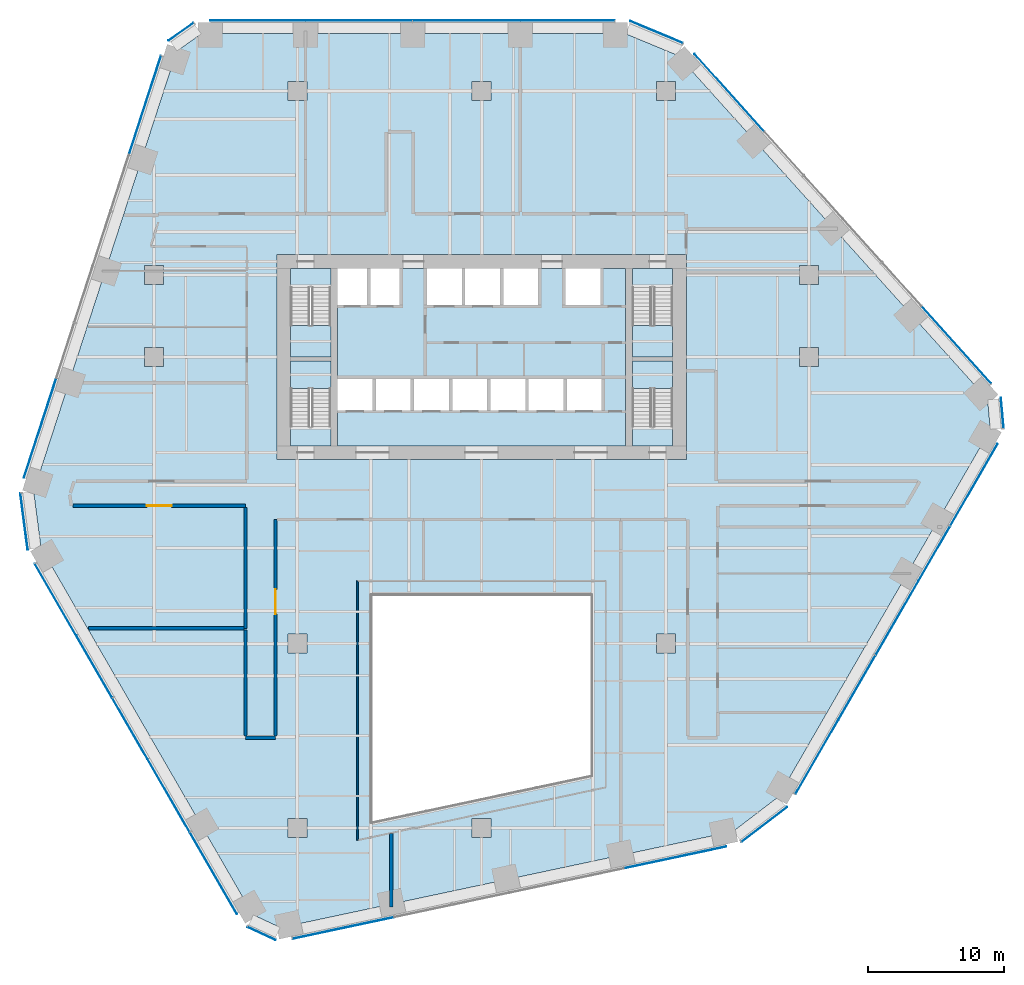
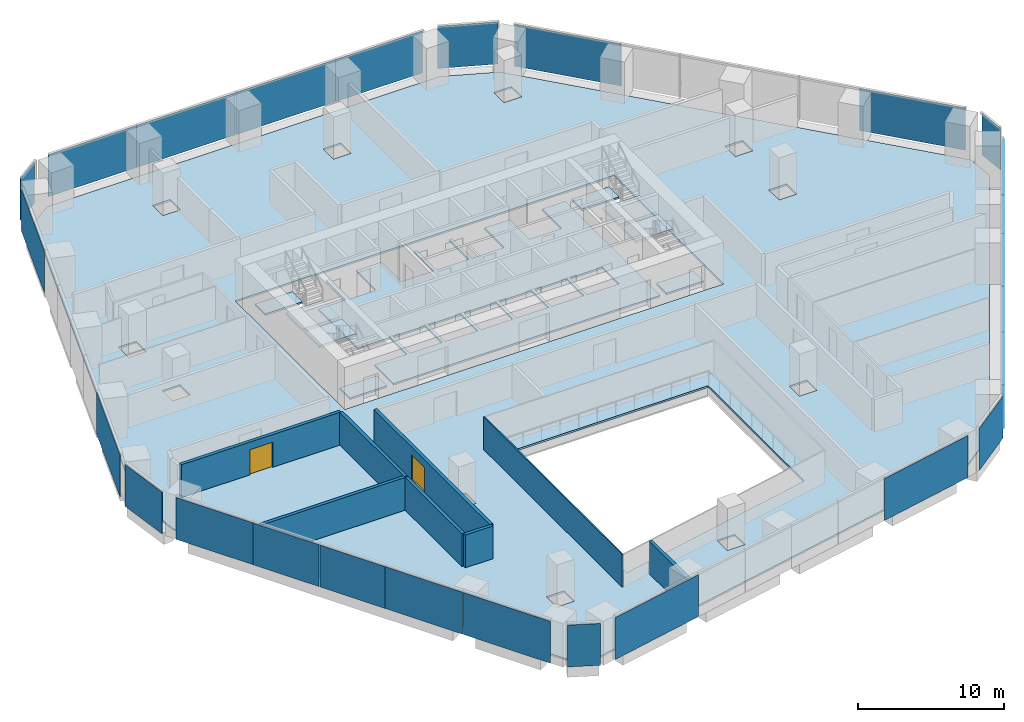
# One storey, part 13 of 20: 26 plates, 10 slabs, 8 walls, 2 doors, 2 openings, 16 elements without a shape of their own.
"""IFC4 building model written with IfcOpenShell, lengths in metres."""

from ifc_helpers import new_model, si_unit, direction, frame, frame_2d, origin, origin_2d, place, context, subcontext, project, spatial, polyline, rectangle, outline, extrude, material, layer, layer_set, type_object, element, fill, aggregate, save


model = new_model("IFC4")

# Units and contexts
model_context = context("Model", 3, precision=1e-05, world=origin(), true_north=direction((0.0, 1.0)))
body_context = subcontext(model_context, "Body", "Model", "MODEL_VIEW")
ifc_project = project(units=[si_unit("LENGTHUNIT", "METRE"), si_unit("AREAUNIT", "SQUARE_METRE"), si_unit("VOLUMEUNIT", "CUBIC_METRE"), si_unit("PLANEANGLEUNIT", "RADIAN"), si_unit("MASSUNIT", "GRAM", prefix="KILO")], contexts=[model_context])

# Site, building, storey
site_placement = place(None, origin())
site = spatial("IfcSite", under=ifc_project, at=site_placement, CompositionType="ELEMENT")
building_placement = place(site_placement, origin())
building = spatial("IfcBuilding", under=site, at=building_placement, Name="Isthmus Gate Tower", CompositionType="ELEMENT")
storey_placement = place(building_placement, frame((0.0, 0.0, 57.89990234375)))
storey = spatial("IfcBuildingStorey", under=building, at=storey_placement, Name="L12", CompositionType="ELEMENT", Elevation=57.89990234375)

# Slabs
ifc_material_1 = material(Name="Concrete f'c 40 MPa", Category="concrete")
ifc_layer_1 = layer(ifc_material_1, 0.14990234375)
ifc_layer_set_1 = layer_set([ifc_layer_1], Name="COMPOSITE FLOOR SLAB 150")
slab_type_1 = type_object("IfcSlabType", Name="COMPOSITE FLOOR SLAB 150", PredefinedType="FLOOR", material=ifc_layer_set_1)
slab_1_placement = place(storey_placement, frame((0.0, 0.0, -0.14990234375)))
element("IfcSlab", 1, at=slab_1_placement, inside=storey, type_object=slab_type_1, Name="str-slab-L12-1", PredefinedType="FLOOR", context=body_context, shape_type="SweptSolid", body=[
    extrude(outline(polyline([(14.391357421875, 29.599365234375), (37.081787109375, 4.399169921875), (37.281494140625, 2.17333984375), (21.748779296875, -24.729736328125), (18.438232421875, -27.262939453125), (-14.73095703125, -34.313232421875), (-16.758544921875, -33.373291015625), (-32.291015625, -6.47021484375), (-32.82958984375, -2.33642578125), (-22.3505859375, 29.9140625), (-20.52294921875, 31.199951171875), (10.542236328125, 31.199951171875), (14.391357421875, 29.599365234375)]), holes=[polyline([(-14.199951171875, -27.699951171875), (-12.800048828125, -27.699951171875), (-12.800048828125, -26.300048828125), (-14.199951171875, -26.300048828125), (-14.199951171875, -27.699951171875)]), polyline([(-0.699951171875, -26.300048828125), (-0.699951171875, -27.699951171875), (0.699951171875, -27.699951171875), (0.699951171875, -26.300048828125), (-0.699951171875, -26.300048828125)]), polyline([(-14.199951171875, -12.800048828125), (-14.199951171875, -14.199951171875), (-12.800048828125, -14.199951171875), (-12.800048828125, -12.800048828125), (-14.199951171875, -12.800048828125)]), polyline([(-24.699951171875, 8.199951171875), (-24.699951171875, 6.800048828125), (-23.300048828125, 6.800048828125), (-23.300048828125, 8.199951171875), (-24.699951171875, 8.199951171875)]), polyline([(-23.300048828125, 14.199951171875), (-24.699951171875, 14.199951171875), (-24.699951171875, 12.800048828125), (-23.300048828125, 12.800048828125), (-23.300048828125, 14.199951171875)]), polyline([(-14.199951171875, 27.699951171875), (-14.199951171875, 26.300048828125), (-12.800048828125, 26.300048828125), (-12.800048828125, 27.699951171875), (-14.199951171875, 27.699951171875)]), polyline([(-0.699951171875, 27.699951171875), (-0.699951171875, 26.300048828125), (0.699951171875, 26.300048828125), (0.699951171875, 27.699951171875), (-0.699951171875, 27.699951171875)]), polyline([(8.0, -23.143310546875), (8.0, -10.0), (-8.0, -10.0), (-8.0, -26.544189453125), (8.0, -23.143310546875)]), polyline([(14.199951171875, -12.800048828125), (12.800048828125, -12.800048828125), (12.800048828125, -14.199951171875), (14.199951171875, -14.199951171875), (14.199951171875, -12.800048828125)]), polyline([(15.0, 15.0), (-15.0, 15.0), (-15.0, 0.0), (15.0, 0.0), (15.0, 15.0)]), polyline([(24.699951171875, 8.199951171875), (23.300048828125, 8.199951171875), (23.300048828125, 6.800048828125), (24.699951171875, 6.800048828125), (24.699951171875, 8.199951171875)]), polyline([(23.300048828125, 14.199951171875), (23.300048828125, 12.800048828125), (24.699951171875, 12.800048828125), (24.699951171875, 14.199951171875), (23.300048828125, 14.199951171875)]), polyline([(14.199951171875, 27.699951171875), (12.800048828125, 27.699951171875), (12.800048828125, 26.300048828125), (14.199951171875, 26.300048828125), (14.199951171875, 27.699951171875)])]), origin(), (0.0, 0.0, 1.0), 0.14990234375),
])
ifc_material_2 = material(Name="Concrete f'c 40 MPa", Category="concrete")
ifc_layer_2 = layer(ifc_material_2, 0.14990234375)
ifc_layer_set_2 = layer_set([ifc_layer_2], Name="CORE FLOOR SLAB 150")
slab_type_2 = type_object("IfcSlabType", Name="CORE FLOOR SLAB 150", PredefinedType="FLOOR", material=ifc_layer_set_2)
slab_2_placement = place(storey_placement, frame((0.0, 0.0, -0.14990234375)))
element("IfcSlab", 2, at=slab_2_placement, inside=storey, type_object=slab_type_2, Name="L12 core floor", PredefinedType="FLOOR", context=body_context, shape_type="SweptSolid", body=[
    extrude(outline(polyline([(-11.050048828125, 1.0), (-11.050048828125, 2.402099609375), (-14.0, 2.402099609375), (-14.0, 1.0), (-11.050048828125, 1.0)])), origin(), (0.0, 0.0, 1.0), 0.14990234375),
])
slab_3_placement = place(storey_placement, frame((0.0, 0.0, -0.14990234375)))
element("IfcSlab", 3, at=slab_3_placement, inside=storey, type_object=slab_type_2, Name="L12 core floor", PredefinedType="FLOOR", context=body_context, shape_type="SweptSolid", body=[
    extrude(outline(polyline([(-14.0, 14.0), (-14.0, 12.597900390625), (-11.050048828125, 12.597900390625), (-11.050048828125, 14.0), (-14.0, 14.0)])), origin(), (0.0, 0.0, 1.0), 0.14990234375),
])
slab_4_placement = place(storey_placement, frame((0.0, 0.0, -0.14990234375)))
element("IfcSlab", 4, at=slab_4_placement, inside=storey, type_object=slab_type_2, Name="L12 core floor", PredefinedType="FLOOR", context=body_context, shape_type="SweptSolid", body=[
    extrude(outline(polyline([(10.550048828125, 14.0), (8.699951171875, 14.0), (8.699951171875, 11.300048828125), (6.14990234375, 11.300048828125), (6.14990234375, 14.0), (4.14990234375, 14.0), (4.14990234375, 11.300048828125), (1.60009765625, 11.300048828125), (1.60009765625, 14.0), (1.35009765625, 14.0), (1.35009765625, 11.300048828125), (-1.199951171875, 11.300048828125), (-1.199951171875, 14.0), (-1.449951171875, 14.0), (-1.449951171875, 11.300048828125), (-4.0, 11.300048828125), (-4.0, 14.0), (-6.0, 14.0), (-6.0, 11.300048828125), (-8.14990234375, 11.300048828125), (-8.14990234375, 14.0), (-8.39990234375, 14.0), (-8.39990234375, 11.300048828125), (-10.550048828125, 11.300048828125), (-10.550048828125, 5.89990234375), (-8.0, 5.89990234375), (-8.0, 3.60009765625), (-10.550048828125, 3.60009765625), (-10.550048828125, 1.0), (10.550048828125, 1.0), (10.550048828125, 14.0)]), holes=[polyline([(-5.199951171875, 5.89990234375), (-5.199951171875, 3.60009765625), (-7.75, 3.60009765625), (-7.75, 5.89990234375), (-5.199951171875, 5.89990234375)]), polyline([(-2.39990234375, 5.89990234375), (-2.39990234375, 3.60009765625), (-4.949951171875, 3.60009765625), (-4.949951171875, 5.89990234375), (-2.39990234375, 5.89990234375)]), polyline([(0.39990234375, 5.89990234375), (0.39990234375, 3.60009765625), (-2.14990234375, 3.60009765625), (-2.14990234375, 5.89990234375), (0.39990234375, 5.89990234375)]), polyline([(3.199951171875, 5.89990234375), (3.199951171875, 3.60009765625), (0.64990234375, 3.60009765625), (0.64990234375, 5.89990234375), (3.199951171875, 5.89990234375)]), polyline([(6.0, 5.89990234375), (6.0, 3.60009765625), (3.449951171875, 3.60009765625), (3.449951171875, 5.89990234375), (6.0, 5.89990234375)]), polyline([(8.800048828125, 5.89990234375), (8.800048828125, 3.60009765625), (6.25, 3.60009765625), (6.25, 5.89990234375), (8.800048828125, 5.89990234375)])]), origin(), (0.0, 0.0, 1.0), 0.14990234375),
])
slab_5_placement = place(storey_placement, frame((0.0, 0.0, -0.14990234375)))
element("IfcSlab", 5, at=slab_5_placement, inside=storey, type_object=slab_type_2, Name="L12 core floor", PredefinedType="FLOOR", context=body_context, shape_type="SweptSolid", body=[
    extrude(outline(polyline([(14.0, 1.0), (14.0, 2.402099609375), (11.050048828125, 2.402099609375), (11.050048828125, 1.0), (14.0, 1.0)])), origin(), (0.0, 0.0, 1.0), 0.14990234375),
])
slab_6_placement = place(storey_placement, frame((0.0, 0.0, -0.14990234375)))
element("IfcSlab", 6, at=slab_6_placement, inside=storey, type_object=slab_type_2, Name="L12 core floor", PredefinedType="FLOOR", context=body_context, shape_type="SweptSolid", body=[
    extrude(outline(polyline([(11.050048828125, 14.0), (11.050048828125, 12.597900390625), (14.0, 12.597900390625), (14.0, 14.0), (11.050048828125, 14.0)])), origin(), (0.0, 0.0, 1.0), 0.14990234375),
])

# Curtain wall, plates
ifc_material_3 = material(Name="Aluminium, pale champagne anodised", Category="aluminium")
ifc_layer_3 = layer(ifc_material_3, 0.199951171875)
ifc_layer_set_3 = layer_set([ifc_layer_3], Name="CW-1 UNITISED CURTAIN WALL 200 DEEP")
curtain_wall_type = type_object("IfcCurtainWallType", Name="CW-1 UNITISED CURTAIN WALL 200 DEEP", PredefinedType="NOTDEFINED", material=ifc_layer_set_3)
curtain_wall_1_placement = place(storey_placement, origin())
curtain_wall_1 = element("IfcCurtainWall", 7, at=curtain_wall_1_placement, inside=storey, type_object=curtain_wall_type, Name="CW-1 N L12", PredefinedType="NOTDEFINED")
ifc_material_4 = material(Name="Laminated low-iron glass, pale blue tint", Category="glass")
ifc_layer_4 = layer(ifc_material_4, 0.0400390625)
ifc_layer_set_4 = layer_set([ifc_layer_4], Name="CW-1 CLEAR GLASS LITE 40")
plate_type = type_object("IfcPlateType", Name="CW-1 CLEAR GLASS LITE 40", PredefinedType="CURTAIN_PANEL", material=ifc_layer_set_4)
plate_1_placement = place(storey_placement, frame((6.287109375, 32.179931640625, 0.0), z_axis=(0.0, 0.0, 1.0), x_axis=(-1.0, 0.0, 0.0)))
plate_1 = element("IfcPlate", 8, at=plate_1_placement, type_object=plate_type, Name="CW-1 glass lite", PredefinedType="CURTAIN_PANEL", context=body_context, shape_type="SweptSolid", body=[
    extrude(rectangle(XDim=6.909423828125, YDim=0.0400390625, at=origin_2d()), origin(), (0.0, 0.0, 1.0), 3.5),
])
plate_2_placement = place(storey_placement, frame((-1.1025390625, 32.179931640625, 0.0), z_axis=(0.0, 0.0, 1.0), x_axis=(-1.0, 0.0, 0.0)))
plate_2 = element("IfcPlate", 9, at=plate_2_placement, type_object=plate_type, Name="CW-1 glass lite", PredefinedType="CURTAIN_PANEL", context=body_context, shape_type="SweptSolid", body=[
    extrude(rectangle(XDim=7.86962890625, YDim=0.0400390625, at=origin_2d()), origin(), (0.0, 0.0, 1.0), 3.5),
])
plate_3_placement = place(storey_placement, frame((-9.001953125, 32.179931640625, 0.0), z_axis=(0.0, 0.0, 1.0), x_axis=(-1.0, 0.0, 0.0)))
plate_3 = element("IfcPlate", 10, at=plate_3_placement, type_object=plate_type, Name="CW-1 glass lite", PredefinedType="CURTAIN_PANEL", context=body_context, shape_type="SweptSolid", body=[
    extrude(rectangle(XDim=7.8095703125, YDim=0.0400390625, at=origin_2d()), origin(), (0.0, 0.0, 1.0), 3.5),
])
plate_4_placement = place(storey_placement, frame((-16.391357421875, 32.179931640625, 0.0), z_axis=(0.0, 0.0, 1.0), x_axis=(-1.0, 0.0, 0.0)))
plate_4 = element("IfcPlate", 11, at=plate_4_placement, type_object=plate_type, Name="CW-1 glass lite", PredefinedType="CURTAIN_PANEL", context=body_context, shape_type="SweptSolid", body=[
    extrude(rectangle(XDim=6.969482421875, YDim=0.0400390625, at=origin_2d()), origin(), (0.0, 0.0, 1.0), 3.5),
])
aggregate(curtain_wall_1, [plate_1, plate_2, plate_3, plate_4])

# Curtain wall, plate
curtain_wall_2_placement = place(storey_placement, origin())
curtain_wall_2 = element("IfcCurtainWall", 12, at=curtain_wall_2_placement, inside=storey, type_object=curtain_wall_type, Name="CW-1 N-NW L12", PredefinedType="NOTDEFINED")
plate_5_placement = place(storey_placement, frame((-22.025146484375, 31.341552734375, 0.0), z_axis=(0.0, 0.0, 1.0), x_axis=(-0.81785959165, -0.57541783805, 0.0)))
plate_5 = element("IfcPlate", 13, at=plate_5_placement, type_object=plate_type, Name="CW-1 glass lite", PredefinedType="CURTAIN_PANEL", context=body_context, shape_type="SweptSolid", body=[
    extrude(rectangle(XDim=2.258544921875, YDim=0.0400390625, at=origin_2d()), origin(), (0.0, 0.0, 1.0), 3.5),
])
aggregate(curtain_wall_2, [plate_5])

# Curtain wall, plates
curtain_wall_3_placement = place(storey_placement, origin())
curtain_wall_3 = element("IfcCurtainWall", 14, at=curtain_wall_3_placement, inside=storey, type_object=curtain_wall_type, Name="CW-1 NW L12", PredefinedType="NOTDEFINED")
plate_6_placement = place(storey_placement, frame((-24.67578125, 25.9296875, 0.0), z_axis=(0.0, 0.0, 1.0), x_axis=(-0.309016994375, -0.951056516295, 0.0)))
plate_6 = element("IfcPlate", 15, at=plate_6_placement, type_object=plate_type, Name="CW-1 glass lite", PredefinedType="CURTAIN_PANEL", context=body_context, shape_type="SweptSolid", body=[
    extrude(rectangle(XDim=7.62939453125, YDim=0.0400390625, at=origin_2d()), origin(), (0.0, 0.0, 1.0), 3.5),
])
plate_7_placement = place(storey_placement, frame((-32.35107421875, 2.30712890625, 0.0), z_axis=(0.0, 0.0, 1.0), x_axis=(-0.309016994375, -0.951056516295, 0.0)))
plate_7 = element("IfcPlate", 16, at=plate_7_placement, type_object=plate_type, Name="CW-1 glass lite", PredefinedType="CURTAIN_PANEL", context=body_context, shape_type="SweptSolid", body=[
    extrude(rectangle(XDim=7.689453125, YDim=0.0400390625, at=origin_2d()), origin(), (0.0, 0.0, 1.0), 3.5),
])
aggregate(curtain_wall_3, [plate_6, plate_7])

# Curtain wall, plate
curtain_wall_4_placement = place(storey_placement, origin())
curtain_wall_4 = element("IfcCurtainWall", 17, at=curtain_wall_4_placement, inside=storey, type_object=curtain_wall_type, Name="CW-1 NW-SW L12", PredefinedType="NOTDEFINED")
plate_8_placement = place(storey_placement, frame((-33.5283203125, -4.558349609375, 0.0), z_axis=(0.0, 0.0, 1.0), x_axis=(0.129164534, -0.991623175988, 0.0)))
plate_8 = element("IfcPlate", 18, at=plate_8_placement, type_object=plate_type, Name="CW-1 glass lite", PredefinedType="CURTAIN_PANEL", context=body_context, shape_type="SweptSolid", body=[
    extrude(rectangle(XDim=4.181396484375, YDim=0.0400390625, at=origin_2d()), origin(), (0.0, 0.0, 1.0), 3.5),
])
aggregate(curtain_wall_4, [plate_8])

# Curtain wall, plates
curtain_wall_5_placement = place(storey_placement, origin())
curtain_wall_5 = element("IfcCurtainWall", 19, at=curtain_wall_5_placement, inside=storey, type_object=curtain_wall_type, Name="CW-1 SW L12", PredefinedType="NOTDEFINED")
plate_9_placement = place(storey_placement, frame((-31.22119140625, -10.283203125, 0.0), z_axis=(0.0, 0.0, 1.0), x_axis=(0.5, -0.866025403784, 0.0)))
plate_9 = element("IfcPlate", 20, at=plate_9_placement, type_object=plate_type, Name="CW-1 glass lite", PredefinedType="CURTAIN_PANEL", context=body_context, shape_type="SweptSolid", body=[
    extrude(rectangle(XDim=6.07373046875, YDim=0.0400390625, at=origin_2d()), origin(), (0.0, 0.0, 1.0), 3.5),
])
plate_10_placement = place(storey_placement, frame((-28.394287109375, -15.179443359375, 0.0), z_axis=(0.0, 0.0, 1.0), x_axis=(0.5, -0.866025403784, 0.0)))
plate_10 = element("IfcPlate", 21, at=plate_10_placement, type_object=plate_type, Name="CW-1 glass lite", PredefinedType="CURTAIN_PANEL", context=body_context, shape_type="SweptSolid", body=[
    extrude(rectangle(XDim=5.233642578125, YDim=0.0400390625, at=origin_2d()), origin(), (0.0, 0.0, 1.0), 3.5),
])
plate_11_placement = place(storey_placement, frame((-25.7626953125, -19.73779296875, 0.0), z_axis=(0.0, 0.0, 1.0), x_axis=(0.5, -0.866025403784, 0.0)))
plate_11 = element("IfcPlate", 22, at=plate_11_placement, type_object=plate_type, Name="CW-1 glass lite", PredefinedType="CURTAIN_PANEL", context=body_context, shape_type="SweptSolid", body=[
    extrude(rectangle(XDim=5.173583984375, YDim=0.0400390625, at=origin_2d()), origin(), (0.0, 0.0, 1.0), 3.5),
])
plate_12_placement = place(storey_placement, frame((-22.935791015625, -24.634033203125, 0.0), z_axis=(0.0, 0.0, 1.0), x_axis=(0.5, -0.866025403784, 0.0)))
plate_12 = element("IfcPlate", 23, at=plate_12_placement, type_object=plate_type, Name="CW-1 glass lite", PredefinedType="CURTAIN_PANEL", context=body_context, shape_type="SweptSolid", body=[
    extrude(rectangle(XDim=6.133544921875, YDim=0.0400390625, at=origin_2d()), origin(), (0.0, 0.0, 1.0), 3.5),
])
plate_13_placement = place(storey_placement, frame((-19.6513671875, -30.32275390625, 0.0), z_axis=(0.0, 0.0, 1.0), x_axis=(0.5, -0.866025403784, 0.0)))
plate_13 = element("IfcPlate", 24, at=plate_13_placement, type_object=plate_type, Name="CW-1 glass lite", PredefinedType="CURTAIN_PANEL", context=body_context, shape_type="SweptSolid", body=[
    extrude(rectangle(XDim=6.883544921875, YDim=0.0400390625, at=origin_2d()), origin(), (0.0, 0.0, 1.0), 3.5),
])
aggregate(curtain_wall_5, [plate_9, plate_10, plate_11, plate_12, plate_13])

# Curtain wall, plate
curtain_wall_6_placement = place(storey_placement, origin())
curtain_wall_6 = element("IfcCurtainWall", 25, at=curtain_wall_6_placement, inside=storey, type_object=curtain_wall_type, Name="CW-1 SW-S L12", PredefinedType="NOTDEFINED")
plate_14_placement = place(storey_placement, frame((-16.1298828125, -34.7451171875, 0.0), z_axis=(0.0, 0.0, 1.0), x_axis=(0.907256261367, -0.420578264073, 0.0)))
plate_14 = element("IfcPlate", 26, at=plate_14_placement, type_object=plate_type, Name="CW-1 glass lite", PredefinedType="CURTAIN_PANEL", context=body_context, shape_type="SweptSolid", body=[
    extrude(rectangle(XDim=2.258544921875, YDim=0.0400390625, at=origin_2d()), origin(), (0.0, 0.0, 1.0), 3.5),
])
aggregate(curtain_wall_6, [plate_14])

# Curtain wall, plates
curtain_wall_7_placement = place(storey_placement, origin())
curtain_wall_7 = element("IfcCurtainWall", 27, at=curtain_wall_7_placement, inside=storey, type_object=curtain_wall_type, Name="CW-1 S L12", PredefinedType="NOTDEFINED")
plate_15_placement = place(storey_placement, frame((-10.117919921875, -34.334716796875, 0.0), z_axis=(0.0, 0.0, 1.0), x_axis=(0.978147600734, 0.207911690818, 0.0)))
plate_15 = element("IfcPlate", 28, at=plate_15_placement, type_object=plate_type, Name="CW-1 glass lite", PredefinedType="CURTAIN_PANEL", context=body_context, shape_type="SweptSolid", body=[
    extrude(rectangle(XDim=7.62939453125, YDim=0.0400390625, at=origin_2d()), origin(), (0.0, 0.0, 1.0), 3.5),
])
plate_16_placement = place(storey_placement, frame((14.177490234375, -29.17041015625, 0.0), z_axis=(0.0, 0.0, 1.0), x_axis=(0.978147600734, 0.207911690818, 0.0)))
plate_16 = element("IfcPlate", 29, at=plate_16_placement, type_object=plate_type, Name="CW-1 glass lite", PredefinedType="CURTAIN_PANEL", context=body_context, shape_type="SweptSolid", body=[
    extrude(rectangle(XDim=7.689453125, YDim=0.0400390625, at=origin_2d()), origin(), (0.0, 0.0, 1.0), 3.5),
])
aggregate(curtain_wall_7, [plate_15, plate_16])

# Curtain wall, plate
curtain_wall_8_placement = place(storey_placement, origin())
curtain_wall_8 = element("IfcCurtainWall", 30, at=curtain_wall_8_placement, inside=storey, type_object=curtain_wall_type, Name="CW-1 S-SE L12", PredefinedType="NOTDEFINED")
plate_17_placement = place(storey_placement, frame((20.711669921875, -26.75732421875, 0.0), z_axis=(0.0, 0.0, 1.0), x_axis=(0.794188594387, 0.607671355706, 0.0)))
plate_17 = element("IfcPlate", 31, at=plate_17_placement, type_object=plate_type, Name="CW-1 glass lite", PredefinedType="CURTAIN_PANEL", context=body_context, shape_type="SweptSolid", body=[
    extrude(rectangle(XDim=4.181396484375, YDim=0.0400390625, at=origin_2d()), origin(), (0.0, 0.0, 1.0), 3.5),
])
aggregate(curtain_wall_8, [plate_17])

# Curtain wall, plates
curtain_wall_9_placement = place(storey_placement, origin())
curtain_wall_9 = element("IfcCurtainWall", 32, at=curtain_wall_9_placement, inside=storey, type_object=curtain_wall_type, Name="CW-1 SE L12", PredefinedType="NOTDEFINED")
plate_18_placement = place(storey_placement, frame((24.5673828125, -21.80810546875, 0.0), z_axis=(0.0, 0.0, 1.0), x_axis=(0.5, 0.866025403784, 0.0)))
plate_18 = element("IfcPlate", 33, at=plate_18_placement, type_object=plate_type, Name="CW-1 glass lite", PredefinedType="CURTAIN_PANEL", context=body_context, shape_type="SweptSolid", body=[
    extrude(rectangle(XDim=6.278564453125, YDim=0.0400390625, at=origin_2d()), origin(), (0.0, 0.0, 1.0), 3.5),
])
plate_19_placement = place(storey_placement, frame((27.49658203125, -16.734375, 0.0), z_axis=(0.0, 0.0, 1.0), x_axis=(0.5, 0.866025403784, 0.0)))
plate_19 = element("IfcPlate", 34, at=plate_19_placement, type_object=plate_type, Name="CW-1 glass lite", PredefinedType="CURTAIN_PANEL", context=body_context, shape_type="SweptSolid", body=[
    extrude(rectangle(XDim=5.4384765625, YDim=0.0400390625, at=origin_2d()), origin(), (0.0, 0.0, 1.0), 3.5),
])
plate_20_placement = place(storey_placement, frame((30.4560546875, -11.608642578125, 0.0), z_axis=(0.0, 0.0, 1.0), x_axis=(0.5, 0.866025403784, 0.0)))
plate_20 = element("IfcPlate", 35, at=plate_20_placement, type_object=plate_type, Name="CW-1 glass lite", PredefinedType="CURTAIN_PANEL", context=body_context, shape_type="SweptSolid", body=[
    extrude(rectangle(XDim=6.278564453125, YDim=0.0400390625, at=origin_2d()), origin(), (0.0, 0.0, 1.0), 3.5),
])
plate_21_placement = place(storey_placement, frame((33.173828125, -6.901123046875, 0.0), z_axis=(0.0, 0.0, 1.0), x_axis=(0.5, 0.866025403784, 0.0)))
plate_21 = element("IfcPlate", 36, at=plate_21_placement, type_object=plate_type, Name="CW-1 glass lite", PredefinedType="CURTAIN_PANEL", context=body_context, shape_type="SweptSolid", body=[
    extrude(rectangle(XDim=4.5927734375, YDim=0.0400390625, at=origin_2d()), origin(), (0.0, 0.0, 1.0), 3.5),
])
plate_22_placement = place(storey_placement, frame((36.079345703125, -1.86865234375, 0.0), z_axis=(0.0, 0.0, 1.0), x_axis=(0.5, 0.866025403784, 0.0)))
plate_22 = element("IfcPlate", 37, at=plate_22_placement, type_object=plate_type, Name="CW-1 glass lite", PredefinedType="CURTAIN_PANEL", context=body_context, shape_type="SweptSolid", body=[
    extrude(rectangle(XDim=6.909423828125, YDim=0.0400390625, at=origin_2d()), origin(), (0.0, 0.0, 1.0), 3.5),
])
aggregate(curtain_wall_9, [plate_18, plate_19, plate_20, plate_21, plate_22])

# Curtain wall, plate
curtain_wall_10_placement = place(storey_placement, origin())
curtain_wall_10 = element("IfcCurtainWall", 38, at=curtain_wall_10_placement, inside=storey, type_object=curtain_wall_type, Name="CW-1 SE-NE L12", PredefinedType="NOTDEFINED")
plate_23_placement = place(storey_placement, frame((38.155029296875, 3.403564453125, 0.0), z_axis=(0.0, 0.0, 1.0), x_axis=(-0.089396669717, 0.995996102123, 0.0)))
plate_23 = element("IfcPlate", 39, at=plate_23_placement, type_object=plate_type, Name="CW-1 glass lite", PredefinedType="CURTAIN_PANEL", context=body_context, shape_type="SweptSolid", body=[
    extrude(rectangle(XDim=2.258544921875, YDim=0.0400390625, at=origin_2d()), origin(), (0.0, 0.0, 1.0), 3.5),
])
aggregate(curtain_wall_10, [plate_23])

# Curtain wall, plates
curtain_wall_11_placement = place(storey_placement, origin())
curtain_wall_11 = element("IfcCurtainWall", 40, at=curtain_wall_11_placement, inside=storey, type_object=curtain_wall_type, Name="CW-1 NE L12", PredefinedType="NOTDEFINED")
plate_24_placement = place(storey_placement, frame((34.79345703125, 8.405029296875, 0.0), z_axis=(0.0, 0.0, 1.0), x_axis=(-0.669130606359, 0.743144825477, 0.0)))
plate_24 = element("IfcPlate", 41, at=plate_24_placement, type_object=plate_type, Name="CW-1 glass lite", PredefinedType="CURTAIN_PANEL", context=body_context, shape_type="SweptSolid", body=[
    extrude(rectangle(XDim=7.62939453125, YDim=0.0400390625, at=origin_2d()), origin(), (0.0, 0.0, 1.0), 3.5),
])
plate_25_placement = place(storey_placement, frame((18.173583984375, 26.86328125, 0.0), z_axis=(0.0, 0.0, 1.0), x_axis=(-0.669130606359, 0.743144825477, 0.0)))
plate_25 = element("IfcPlate", 42, at=plate_25_placement, type_object=plate_type, Name="CW-1 glass lite", PredefinedType="CURTAIN_PANEL", context=body_context, shape_type="SweptSolid", body=[
    extrude(rectangle(XDim=7.689453125, YDim=0.0400390625, at=origin_2d()), origin(), (0.0, 0.0, 1.0), 3.5),
])
aggregate(curtain_wall_11, [plate_24, plate_25])

# Curtain wall, plate
curtain_wall_12_placement = place(storey_placement, origin())
curtain_wall_12 = element("IfcCurtainWall", 43, at=curtain_wall_12_placement, inside=storey, type_object=curtain_wall_type, Name="CW-1 NE-N L12", PredefinedType="NOTDEFINED")
plate_26_placement = place(storey_placement, frame((12.816650390625, 31.315673828125, 0.0), z_axis=(0.0, 0.0, 1.0), x_axis=(-0.923353128387, 0.383951820282, 0.0)))
plate_26 = element("IfcPlate", 44, at=plate_26_placement, type_object=plate_type, Name="CW-1 glass lite", PredefinedType="CURTAIN_PANEL", context=body_context, shape_type="SweptSolid", body=[
    extrude(rectangle(XDim=4.181396484375, YDim=0.0400390625, at=origin_2d()), origin(), (0.0, 0.0, 1.0), 3.5),
])
aggregate(curtain_wall_12, [plate_26])

# Stair, slab
ifc_material_5 = material(Name="Concrete f'c 40 MPa", Category="concrete")
stair_type = type_object("IfcStairType", Name="CORE STAIR 22 RISERS", PredefinedType="HALF_TURN_STAIR", material=ifc_material_5)
stair_1_placement = place(storey_placement, origin())
stair_1 = element("IfcStair", 45, at=stair_1_placement, inside=storey, type_object=stair_type, Name="L12 Exit Stair 1", PredefinedType="HALF_TURN_STAIR")
ifc_material_6 = material(Name="Concrete f'c 40 MPa", Category="concrete")
ifc_layer_5 = layer(ifc_material_6, 0.199951171875)
ifc_layer_set_5 = layer_set([ifc_layer_5])
slab_type_3 = type_object("IfcSlabType", Name="STAIR LANDING RC 200", PredefinedType="LANDING", material=ifc_layer_set_5)
slab_7_placement = place(storey_placement, frame((0.0, 0.0, 1.625)))
slab_7 = element("IfcSlab", 46, at=slab_7_placement, type_object=slab_type_3, Name="ST1 landing 1", PredefinedType="LANDING", context=body_context, shape_type="SweptSolid", body=[
    extrude(outline(polyline([(-14.0, 9.800048828125), (-14.0, 7.5), (-11.050048828125, 7.5), (-11.050048828125, 9.800048828125), (-14.0, 9.800048828125)])), origin(), (0.0, 0.0, 1.0), 0.2001953125),
])
aggregate(stair_1, [slab_7])

stair_2_placement = place(storey_placement, origin())
stair_2 = element("IfcStair", 47, at=stair_2_placement, inside=storey, type_object=stair_type, Name="L12 Exit Stair 2", PredefinedType="HALF_TURN_STAIR")
slab_8_placement = place(storey_placement, frame((0.0, 0.0, 1.625)))
slab_8 = element("IfcSlab", 48, at=slab_8_placement, type_object=slab_type_3, Name="ST2 landing 1", PredefinedType="LANDING", context=body_context, shape_type="SweptSolid", body=[
    extrude(outline(polyline([(11.050048828125, 9.800048828125), (11.050048828125, 7.5), (14.0, 7.5), (14.0, 9.800048828125), (11.050048828125, 9.800048828125)])), origin(), (0.0, 0.0, 1.0), 0.2001953125),
])
aggregate(stair_2, [slab_8])

stair_3_placement = place(storey_placement, origin())
stair_3 = element("IfcStair", 49, at=stair_3_placement, inside=storey, type_object=stair_type, Name="L12 Exit Stair 7", PredefinedType="HALF_TURN_STAIR")
slab_9_placement = place(storey_placement, frame((0.0, 0.0, 1.625)))
slab_9 = element("IfcSlab", 50, at=slab_9_placement, type_object=slab_type_3, Name="ST7 landing 1", PredefinedType="LANDING", context=body_context, shape_type="SweptSolid", body=[
    extrude(outline(polyline([(-11.050048828125, 5.199951171875), (-11.050048828125, 7.199951171875), (-14.0, 7.199951171875), (-14.0, 5.199951171875), (-11.050048828125, 5.199951171875)])), origin(), (0.0, 0.0, 1.0), 0.2001953125),
])
aggregate(stair_3, [slab_9])

stair_4_placement = place(storey_placement, origin())
stair_4 = element("IfcStair", 51, at=stair_4_placement, inside=storey, type_object=stair_type, Name="L12 Exit Stair 8", PredefinedType="HALF_TURN_STAIR")
slab_10_placement = place(storey_placement, frame((0.0, 0.0, 1.625)))
slab_10 = element("IfcSlab", 52, at=slab_10_placement, type_object=slab_type_3, Name="ST8 landing 1", PredefinedType="LANDING", context=body_context, shape_type="SweptSolid", body=[
    extrude(outline(polyline([(14.0, 5.199951171875), (14.0, 7.199951171875), (11.050048828125, 7.199951171875), (11.050048828125, 5.199951171875), (14.0, 5.199951171875)])), origin(), (0.0, 0.0, 1.0), 0.2001953125),
])
aggregate(stair_4, [slab_10])

# Wall, opening, door
ifc_material_7 = material(Name="Double-leaf acoustic stud wall, fire-rated", Category="gypsum")
ifc_layer_6 = layer(ifc_material_7, 0.25)
ifc_layer_set_6 = layer_set([ifc_layer_6], Name="ACOUSTIC WALL 250 60 MIN")
wall_type_1 = type_object("IfcWallType", Name="ACOUSTIC WALL 250 60 MIN", PredefinedType="PARTITIONING", material=ifc_layer_set_6)
wall_1_placement = place(storey_placement, frame((-17.300048828125, -3.39990234375, 0.0), z_axis=(0.0, 0.0, 1.0), x_axis=(-1.0, 0.0, 0.0)))
wall_1 = element("IfcWall", 53, at=wall_1_placement, inside=storey, type_object=wall_type_1, Name="L12 Acoustic Wall 250 60 Min", PredefinedType="PARTITIONING", context=body_context, shape_type="SweptSolid", body=[
    extrude(rectangle(XDim=12.64404296875, YDim=0.25, at=frame_2d((6.322021484375, 0.0))), origin(), (0.0, 0.0, 1.0), 2.7412109375),
])
opening_1_placement = place(wall_1_placement, frame((5.422119140625, 0.0, 0.0)))
opening_1 = element("IfcOpeningElement", 54, at=opening_1_placement, cuts=wall_1, Name="Opening DT-T1C-10", PredefinedType="OPENING", context=body_context, shape_type="SweptSolid", body=[
    extrude(rectangle(XDim=1.800048828125, YDim=2.10009765625, at=frame_2d((0.89990234375, 1.050048828125))), frame((0.0, 0.135009765625, 0.0), z_axis=(0.0, -1.0, 0.0), x_axis=(1.0, 0.0, 0.0)), (0.0, 0.0, 1.0), 0.27001953125),
])
ifc_material_8 = material(Name="Solid core timber door leaf, fire-rated", Category="wood")
door_type = type_object("IfcDoorType", Name="FIRE DOOR ACOUSTIC ROOM 1800 X 2100 60 MIN", OperationType="DOUBLE_DOOR_DOUBLE_SWING", PredefinedType="DOOR", material=ifc_material_8)
door_1_placement = place(opening_1_placement, origin())
door_1 = element("IfcDoor", 55, at=door_1_placement, inside=storey, type_object=door_type, Name="L12 room door", OperationType="DOUBLE_DOOR_DOUBLE_SWING", OverallHeight=2.10009765625, OverallWidth=1.800048828125, PredefinedType="DOOR", context=body_context, shape_type="SweptSolid", body=[
    extrude(rectangle(XDim=1.800048828125, YDim=2.10009765625, at=frame_2d((0.89990234375, 1.050048828125))), frame((0.0, 0.02490234375, 0.0), z_axis=(0.0, -1.0, 0.0), x_axis=(1.0, 0.0, 0.0)), (0.0, 0.0, 1.0), 0.050048828125),
])
fill(opening_1, door_1)

# Wall
wall_2_placement = place(storey_placement, frame((-15.10009765625, -20.39990234375, 0.0), z_axis=(0.0, 0.0, 1.0), x_axis=(-1.0, 0.0, 0.0)))
element("IfcWall", 56, at=wall_2_placement, inside=storey, type_object=wall_type_1, Name="L12 Acoustic Wall 250 60 Min", PredefinedType="PARTITIONING", context=body_context, shape_type="SweptSolid", body=[
    extrude(rectangle(XDim=2.199951171875, YDim=0.25, at=frame_2d((1.10009765625, 0.0))), origin(), (0.0, 0.0, 1.0), 2.7412109375),
])

# Wall, opening, door
wall_3_placement = place(storey_placement, frame((-15.10009765625, -4.39990234375, 0.0), z_axis=(0.0, 0.0, 1.0), x_axis=(0.0, -1.0, 0.0)))
wall_3 = element("IfcWall", 57, at=wall_3_placement, inside=storey, type_object=wall_type_1, Name="L12 Acoustic Wall 250 60 Min", PredefinedType="PARTITIONING", context=body_context, shape_type="SweptSolid", body=[
    extrude(rectangle(XDim=15.875, YDim=0.25, at=frame_2d((7.9375, 0.0))), origin(), (0.0, 0.0, 1.0), 2.7412109375),
])
opening_2_placement = place(wall_3_placement, frame((5.132568359375, 0.0, 0.0)))
opening_2 = element("IfcOpeningElement", 58, at=opening_2_placement, cuts=wall_3, Name="Opening DT-T1C-14", PredefinedType="OPENING", context=body_context, shape_type="SweptSolid", body=[
    extrude(rectangle(XDim=1.800048828125, YDim=2.10009765625, at=frame_2d((0.89990234375, 1.050048828125))), frame((0.0, 0.135009765625, 0.0), z_axis=(0.0, -1.0, 0.0), x_axis=(1.0, 0.0, 0.0)), (0.0, 0.0, 1.0), 0.27001953125),
])
door_2_placement = place(opening_2_placement, origin())
door_2 = element("IfcDoor", 59, at=door_2_placement, inside=storey, type_object=door_type, Name="L12 room door", OperationType="DOUBLE_DOOR_DOUBLE_SWING", OverallHeight=2.10009765625, OverallWidth=1.800048828125, PredefinedType="DOOR", context=body_context, shape_type="SweptSolid", body=[
    extrude(rectangle(XDim=1.800048828125, YDim=2.10009765625, at=frame_2d((0.89990234375, 1.050048828125))), frame((0.0, 0.02490234375, 0.0), z_axis=(0.0, -1.0, 0.0), x_axis=(1.0, 0.0, 0.0)), (0.0, 0.0, 1.0), 0.050048828125),
])
fill(opening_2, door_2)

# Walls
wall_4_placement = place(storey_placement, frame((-17.300048828125, -12.373046875, 0.0), z_axis=(0.0, 0.0, 1.0), x_axis=(0.0, 1.0, 0.0)))
element("IfcWall", 60, at=wall_4_placement, inside=storey, type_object=wall_type_1, Name="L12 Acoustic Wall 250 60 Min", PredefinedType="PARTITIONING", context=body_context, shape_type="SweptSolid", body=[
    extrude(rectangle(XDim=8.84814453125, YDim=0.25, at=frame_2d((4.424072265625, 0.0))), origin(), (0.0, 0.0, 1.0), 2.7412109375),
])
wall_5_placement = place(storey_placement, frame((-28.81396484375, -12.373046875, 0.0), z_axis=(0.0, 0.0, 1.0), x_axis=(1.0, 0.0, 0.0)))
element("IfcWall", 61, at=wall_5_placement, inside=storey, type_object=wall_type_1, Name="L12 Acoustic Wall 250 60 Min", PredefinedType="PARTITIONING", context=body_context, shape_type="SweptSolid", body=[
    extrude(rectangle(XDim=11.388916015625, YDim=0.25, at=frame_2d((5.6943359375, 0.0))), origin(), (0.0, 0.0, 1.0), 2.7412109375),
])
wall_6_placement = place(storey_placement, frame((-17.300048828125, -20.27490234375, 0.0), z_axis=(0.0, 0.0, 1.0), x_axis=(0.0, 1.0, 0.0)))
element("IfcWall", 62, at=wall_6_placement, inside=storey, type_object=wall_type_1, Name="L12 Acoustic Wall 250 60 Min", PredefinedType="PARTITIONING", context=body_context, shape_type="SweptSolid", body=[
    extrude(rectangle(XDim=7.77685546875, YDim=0.25, at=frame_2d((3.888427734375, 0.0))), origin(), (0.0, 0.0, 1.0), 2.7412109375),
])
wall_7_placement = place(storey_placement, frame((-6.611083984375, -32.7919921875, 0.0), z_axis=(0.0, 0.0, 1.0), x_axis=(0.0, 1.0, 0.0)))
element("IfcWall", 63, at=wall_7_placement, inside=storey, type_object=wall_type_1, Name="L12 Acoustic Wall 250 60 Min", PredefinedType="PARTITIONING", context=body_context, shape_type="SweptSolid", body=[
    extrude(rectangle(XDim=5.366943359375, YDim=0.25, at=frame_2d((2.68359375, 0.0))), origin(), (0.0, 0.0, 1.0), 2.7412109375),
])
ifc_material_9 = material(Name="Fire-rated laminated glass in steel frame", Category="steel")
ifc_layer_7 = layer(ifc_material_9, 0.10009765625)
ifc_layer_set_7 = layer_set([ifc_layer_7], Name="ATRIUM SCREEN GLAZED WALL 100 120 MIN")
wall_type_2 = type_object("IfcWallType", Name="ATRIUM SCREEN GLAZED WALL 100 120 MIN", PredefinedType="PARTITIONING", material=ifc_layer_set_7)
wall_8_placement = place(storey_placement, frame((-9.10009765625, -27.902587890625, 0.0), z_axis=(0.0, 0.0, 1.0), x_axis=(0.0, 1.0, 0.0)))
element("IfcWall", 64, at=wall_8_placement, inside=storey, type_object=wall_type_2, Name="L12 atrium screen", PredefinedType="PARTITIONING", context=body_context, shape_type="SweptSolid", body=[
    extrude(rectangle(XDim=19.002685546875, YDim=0.10009765625, at=frame_2d((9.50146484375, 0.0))), origin(), (0.0, 0.0, 1.0), 2.7412109375),
])

save(model, "model.ifc")
